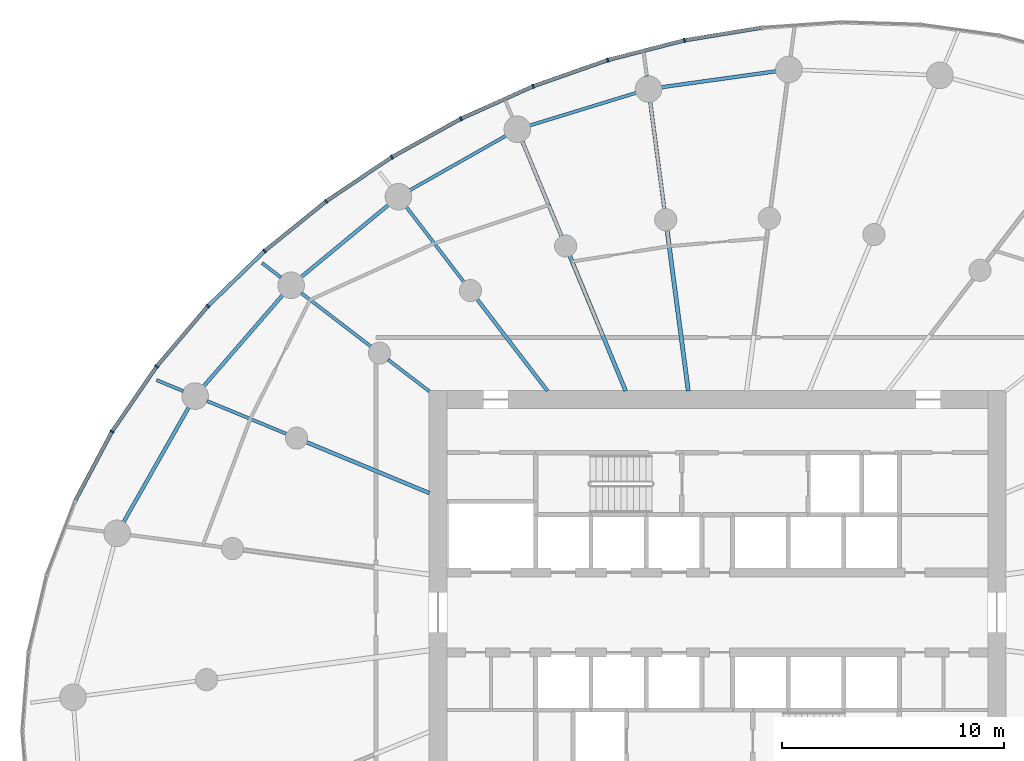
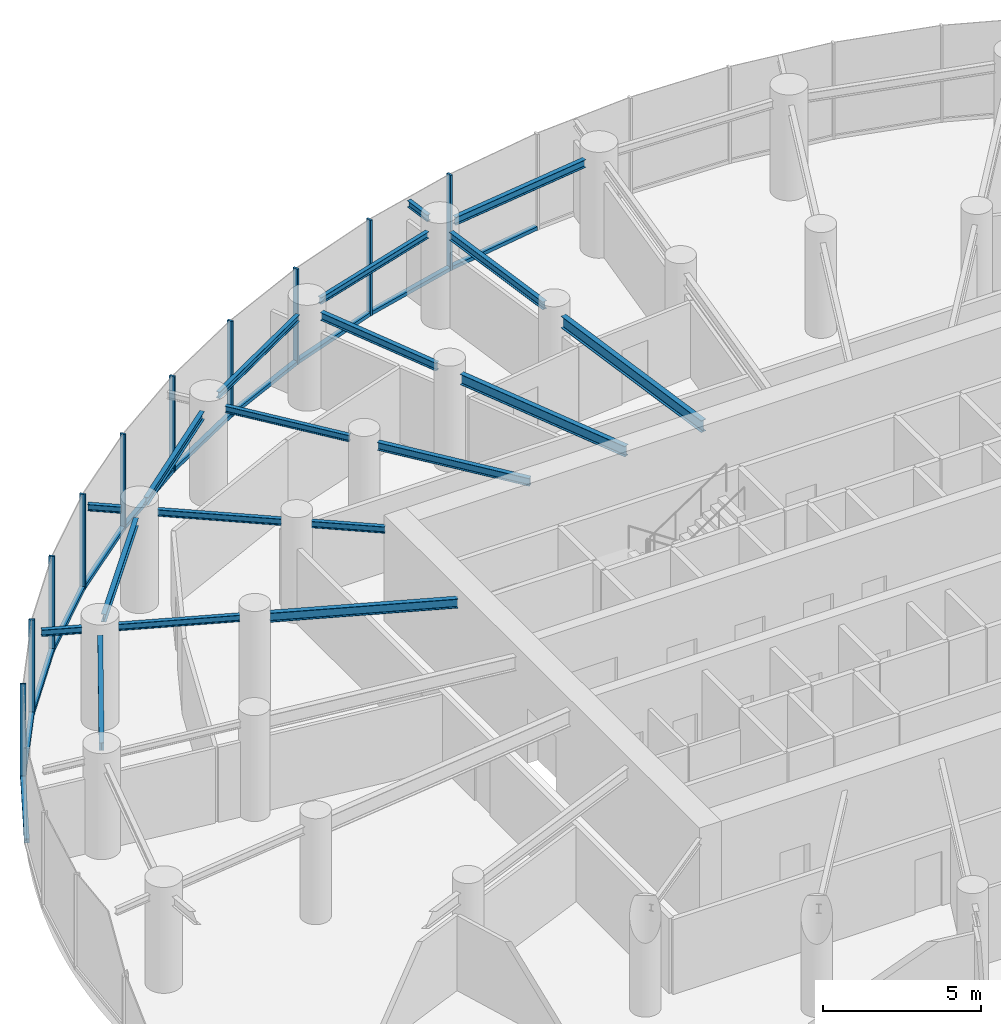
# One storey, part 6 of 17: 21 members, 19 beams, 3 elements without a shape of their own.
"""IFC4 building model written with IfcOpenShell, lengths in metres."""

from ifc_helpers import new_model, si_unit, direction, frame, origin, origin_2d, place, context, subcontext, project, spatial, rectangle, i_section, extrude, source, transform, mapped, material, layer, layer_set, material_profile, profile_set, type_object, element, aggregate, save


model = new_model("IFC4")

# Units and contexts
model_context = context("Model", 3, precision=1e-05, world=origin(), true_north=direction((0.0, 1.0)))
body_context = subcontext(model_context, "Body", "Model", "MODEL_VIEW")
ifc_project = project(units=[si_unit("LENGTHUNIT", "METRE"), si_unit("AREAUNIT", "SQUARE_METRE"), si_unit("VOLUMEUNIT", "CUBIC_METRE"), si_unit("PLANEANGLEUNIT", "RADIAN"), si_unit("MASSUNIT", "GRAM", prefix="KILO")], contexts=[model_context])

# Site, building, storey
site_placement = place(None, origin())
site = spatial("IfcSite", under=ifc_project, at=site_placement, CompositionType="ELEMENT")
building_placement = place(site_placement, origin())
building = spatial("IfcBuilding", under=site, at=building_placement, Name="Spindrift Exchange Tower", CompositionType="ELEMENT")
storey_placement = place(building_placement, frame((0.0, 0.0, 96.199951171875)))
storey = spatial("IfcBuildingStorey", under=building, at=storey_placement, Name="L22", CompositionType="ELEMENT", Elevation=96.199951171875)

# Beams
ifc_material_1 = material(Name="Steel Grade 300", Category="steel")
ifc_material_profile_1 = material_profile(ifc_material_1, i_section(OverallWidth=0.18994140625, OverallDepth=0.45703125, WebThickness=0.009033203125, FlangeThickness=0.014404296875, FilletRadius=0.013916015625, at=origin_2d()), Name="460UB74.6")
ifc_profile_set_1 = profile_set([ifc_material_profile_1], Name="Steel Grade 300")
beam_type_1 = type_object("IfcBeamType", Name="Floor Beam 460UB74.6 Steel Grade 300", PredefinedType="BEAM", material=ifc_profile_set_1)
shared_shape_1 = source(origin(), body_context, "Body", "SweptSolid", [
    extrude(i_section(OverallWidth=0.18994140625, OverallDepth=0.45703125, WebThickness=0.009033203125, FlangeThickness=0.014404296875, FilletRadius=0.013916015625, at=origin_2d()), origin(), (0.0, 0.0, 1.0), 7.3095703125),
])
beam_1_placement = place(storey_placement, frame((50.68603515625, 57.980224609375, 3.471435546875), z_axis=(-0.130527087244, 0.991444743541, 0.0), x_axis=(-0.991444743541, -0.130527087244, 0.0)))
element("IfcBeam", 1, at=beam_1_placement, inside=storey, type_object=beam_type_1, Name="L22 radial beam R07A", PredefinedType="BEAM", context=body_context, shape_type="MappedRepresentation", body=[
    mapped(shared_shape_1, transform((0.0, 0.0, 0.0), scale=1.0)),
])
ifc_material_profile_2 = material_profile(ifc_material_1, i_section(OverallWidth=0.177978515625, OverallDepth=0.406005859375, WebThickness=0.0078125, FlangeThickness=0.0126953125, FilletRadius=0.013916015625, at=origin_2d()), Name="410UB59.7")
ifc_profile_set_2 = profile_set([ifc_material_profile_2], Name="Steel Grade 300")
beam_type_2 = type_object("IfcBeamType", Name="Floor Beam 410UB59.7 Steel Grade 300", PredefinedType="BEAM", material=ifc_profile_set_2)
shared_shape_2 = source(origin(), body_context, "Body", "SweptSolid", [
    extrude(i_section(OverallWidth=0.177978515625, OverallDepth=0.406005859375, WebThickness=0.0078125, FlangeThickness=0.0126953125, FilletRadius=0.013916015625, at=origin_2d()), origin(), (0.0, 0.0, 1.0), 6.594482421875),
])
beam_2_placement = place(storey_placement, frame((47.865478515625, 57.9814453125, 3.4970703125), z_axis=(-0.382692929746, 0.92387559851, 0.0), x_axis=(-0.92387559851, -0.382692929746, 0.0)))
element("IfcBeam", 2, at=beam_2_placement, inside=storey, type_object=beam_type_2, Name="L22 radial beam R08A", PredefinedType="BEAM", context=body_context, shape_type="MappedRepresentation", body=[
    mapped(shared_shape_2, transform((0.0, 0.0, 0.0), scale=1.0)),
])
ifc_material_profile_3 = material_profile(ifc_material_1, i_section(OverallWidth=0.1650390625, OverallDepth=0.303955078125, WebThickness=0.006103515625, FlangeThickness=0.01025390625, FilletRadius=0.011474609375, at=origin_2d()), Name="310UB40.4")
ifc_profile_set_3 = profile_set([ifc_material_profile_3], Name="Steel Grade 300")
beam_type_3 = type_object("IfcBeamType", Name="Floor Beam 310UB40.4 Steel Grade 300", PredefinedType="BEAM", material=ifc_profile_set_3)
shared_shape_3 = source(origin(), body_context, "Body", "SweptSolid", [
    extrude(i_section(OverallWidth=0.1650390625, OverallDepth=0.303955078125, WebThickness=0.006103515625, FlangeThickness=0.01025390625, FilletRadius=0.011474609375, at=origin_2d()), origin(), (0.0, 0.0, 1.0), 5.224609375),
])
beam_3_placement = place(storey_placement, frame((44.3388671875, 57.984130859375, 3.548095703125), z_axis=(-0.608741499316, 0.793368632485, 0.0), x_axis=(-0.793368632485, -0.608741499316, 0.0)))
element("IfcBeam", 3, at=beam_3_placement, inside=storey, type_object=beam_type_3, Name="L22 radial beam R09A", PredefinedType="BEAM", context=body_context, shape_type="MappedRepresentation", body=[
    mapped(shared_shape_3, transform((0.0, 0.0, 0.0), scale=1.0)),
])
ifc_material_profile_4 = material_profile(ifc_material_1, i_section(OverallWidth=0.14599609375, OverallDepth=0.251953125, WebThickness=0.006103515625, FlangeThickness=0.008544921875, FilletRadius=0.011962890625, at=origin_2d()), Name="250UB31.4")
ifc_profile_set_4 = profile_set([ifc_material_profile_4], Name="Steel Grade 300")
beam_type_4 = type_object("IfcBeamType", Name="Floor Beam 250UB31.4 Steel Grade 300", PredefinedType="BEAM", material=ifc_profile_set_4)
shared_shape_4 = source(origin(), body_context, "Body", "SweptSolid", [
    extrude(i_section(OverallWidth=0.14599609375, OverallDepth=0.251953125, WebThickness=0.006103515625, FlangeThickness=0.008544921875, FilletRadius=0.011962890625, at=origin_2d()), origin(), (0.0, 0.0, 1.0), 2.353759765625),
])
beam_4_placement = place(storey_placement, frame((39.015869140625, 57.963134765625, 3.573974609375), z_axis=(-0.793367573265, 0.608742879787, 0.0), x_axis=(-0.608742879787, -0.793367573265, 0.0)))
element("IfcBeam", 4, at=beam_4_placement, inside=storey, type_object=beam_type_4, Name="L22 radial beam R10A", PredefinedType="BEAM", context=body_context, shape_type="MappedRepresentation", body=[
    mapped(shared_shape_4, transform((0.0, 0.0, 0.0), scale=1.0)),
])
ifc_material_profile_5 = material_profile(ifc_material_1, i_section(OverallWidth=0.172119140625, OverallDepth=0.35888671875, WebThickness=0.008056640625, FlangeThickness=0.012939453125, FilletRadius=0.013916015625, at=origin_2d()), Name="360UB56.7")
ifc_profile_set_5 = profile_set([ifc_material_profile_5], Name="Steel Grade 300")
beam_type_5 = type_object("IfcBeamType", Name="Floor Beam 360UB56.7 Steel Grade 300", PredefinedType="BEAM", material=ifc_profile_set_5)
shared_shape_5 = source(origin(), body_context, "Body", "SweptSolid", [
    extrude(i_section(OverallWidth=0.172119140625, OverallDepth=0.35888671875, WebThickness=0.008056640625, FlangeThickness=0.012939453125, FilletRadius=0.013916015625, at=origin_2d()), origin(), (0.0, 0.0, 1.0), 6.004638671875),
])
beam_5_placement = place(storey_placement, frame((39.0185546875, 53.377197265625, 3.5205078125), z_axis=(-0.923882044911, 0.38267736684, 0.0), x_axis=(-0.38267736684, -0.923882044911, 0.0)))
element("IfcBeam", 5, at=beam_5_placement, inside=storey, type_object=beam_type_5, Name="L22 radial beam R11A", PredefinedType="BEAM", context=body_context, shape_type="MappedRepresentation", body=[
    mapped(shared_shape_5, transform((0.0, 0.0, 0.0), scale=1.0)),
])
shared_shape_6 = source(origin(), body_context, "Body", "SweptSolid", [
    extrude(i_section(OverallWidth=0.1650390625, OverallDepth=0.303955078125, WebThickness=0.006103515625, FlangeThickness=0.01025390625, FilletRadius=0.011474609375, at=origin_2d()), origin(), (0.0, 0.0, 1.0), 4.883056640625),
])
beam_6_placement = place(storey_placement, frame((49.606689453125, 66.17919921875, 3.548095703125), z_axis=(-0.130542457964, 0.991442719812, 0.0), x_axis=(-0.991442719812, -0.130542457964, 0.0)))
element("IfcBeam", 6, at=beam_6_placement, inside=storey, type_object=beam_type_3, Name="L22 radial beam R07B", PredefinedType="BEAM", context=body_context, shape_type="MappedRepresentation", body=[
    mapped(shared_shape_6, transform((0.0, 0.0, 0.0), scale=1.0)),
])
shared_shape_7 = source(origin(), body_context, "Body", "SweptSolid", [
    extrude(i_section(OverallWidth=0.1650390625, OverallDepth=0.303955078125, WebThickness=0.006103515625, FlangeThickness=0.01025390625, FilletRadius=0.011474609375, at=origin_2d()), origin(), (0.0, 0.0, 1.0), 4.63671875),
])
beam_7_placement = place(storey_placement, frame((44.974609375, 64.9609375, 3.548095703125), z_axis=(-0.382692818086, 0.923875644763, 0.0), x_axis=(-0.923875644763, -0.382692818086, 0.0)))
element("IfcBeam", 7, at=beam_7_placement, inside=storey, type_object=beam_type_3, Name="L22 radial beam R08B", PredefinedType="BEAM", context=body_context, shape_type="MappedRepresentation", body=[
    mapped(shared_shape_7, transform((0.0, 0.0, 0.0), scale=1.0)),
])
shared_shape_8 = source(origin(), body_context, "Body", "SweptSolid", [
    extrude(i_section(OverallWidth=0.14599609375, OverallDepth=0.251953125, WebThickness=0.006103515625, FlangeThickness=0.008544921875, FilletRadius=0.011962890625, at=origin_2d()), origin(), (0.0, 0.0, 1.0), 4.27587890625),
])
beam_8_placement = place(storey_placement, frame((40.573974609375, 62.890625, 3.573974609375), z_axis=(-0.608725184746, 0.793381150177, 0.0), x_axis=(-0.793381150177, -0.608725184746, 0.0)))
element("IfcBeam", 8, at=beam_8_placement, inside=storey, type_object=beam_type_4, Name="L22 radial beam R09B", PredefinedType="BEAM", context=body_context, shape_type="MappedRepresentation", body=[
    mapped(shared_shape_8, transform((0.0, 0.0, 0.0), scale=1.0)),
])
shared_shape_9 = source(origin(), body_context, "Body", "SweptSolid", [
    extrude(i_section(OverallWidth=0.14599609375, OverallDepth=0.251953125, WebThickness=0.006103515625, FlangeThickness=0.008544921875, FilletRadius=0.011962890625, at=origin_2d()), origin(), (0.0, 0.0, 1.0), 3.966064453125),
])
beam_9_placement = place(storey_placement, frame((36.38671875, 59.98046875, 3.573974609375), z_axis=(-0.79336256318, 0.608749409318, 0.0), x_axis=(-0.608749409318, -0.79336256318, 0.0)))
element("IfcBeam", 9, at=beam_9_placement, inside=storey, type_object=beam_type_4, Name="L22 radial beam R10B", PredefinedType="BEAM", context=body_context, shape_type="MappedRepresentation", body=[
    mapped(shared_shape_9, transform((0.0, 0.0, 0.0), scale=1.0)),
])
shared_shape_10 = source(origin(), body_context, "Body", "SweptSolid", [
    extrude(i_section(OverallWidth=0.14599609375, OverallDepth=0.251953125, WebThickness=0.006103515625, FlangeThickness=0.008544921875, FilletRadius=0.011962890625, at=origin_2d()), origin(), (0.0, 0.0, 1.0), 3.892333984375),
])
beam_10_placement = place(storey_placement, frame((32.583984375, 56.04248046875, 3.573974609375), z_axis=(-0.923878458273, 0.382686025794, 0.0), x_axis=(-0.382686025794, -0.923878458273, 0.0)))
element("IfcBeam", 10, at=beam_10_placement, inside=storey, type_object=beam_type_4, Name="L22 radial beam R11B", PredefinedType="BEAM", context=body_context, shape_type="MappedRepresentation", body=[
    mapped(shared_shape_10, transform((0.0, 0.0, 0.0), scale=1.0)),
])
ifc_material_profile_6 = material_profile(ifc_material_1, i_section(OverallWidth=0.1650390625, OverallDepth=0.303955078125, WebThickness=0.006103515625, FlangeThickness=0.01025390625, FilletRadius=0.011474609375, at=origin_2d()), Name="310UB40.4")
ifc_profile_set_6 = profile_set([ifc_material_profile_6], Name="Steel Grade 300")
beam_type_6 = type_object("IfcBeamType", Name="Edge Beam 310UB40.4 Steel Grade 300", PredefinedType="SPANDREL", material=ifc_profile_set_6)
shared_shape_11 = source(origin(), body_context, "Body", "SweptSolid", [
    extrude(i_section(OverallWidth=0.1650390625, OverallDepth=0.303955078125, WebThickness=0.006103515625, FlangeThickness=0.01025390625, FilletRadius=0.011474609375, at=origin_2d()), origin(), (0.0, 0.0, 1.0), 5.22998046875),
])
beam_11_placement = place(storey_placement, frame((54.64794921875, 72.396728515625, 3.548095703125), z_axis=(-0.990440078597, -0.137943650481, 0.0), x_axis=(0.137943650481, -0.990440078597, 0.0)))
element("IfcBeam", 11, at=beam_11_placement, inside=storey, type_object=beam_type_6, Name="L22 edge beam E06", PredefinedType="SPANDREL", context=body_context, shape_type="MappedRepresentation", body=[
    mapped(shared_shape_11, transform((0.0, 0.0, 0.0), scale=1.0)),
])
ifc_material_profile_7 = material_profile(ifc_material_1, i_section(OverallWidth=0.14599609375, OverallDepth=0.251953125, WebThickness=0.006103515625, FlangeThickness=0.008544921875, FilletRadius=0.011962890625, at=origin_2d()), Name="250UB31.4")
ifc_profile_set_7 = profile_set([ifc_material_profile_7], Name="Steel Grade 300")
beam_type_7 = type_object("IfcBeamType", Name="Edge Beam 250UB31.4 Steel Grade 300", PredefinedType="SPANDREL", material=ifc_profile_set_7)
shared_shape_12 = source(origin(), body_context, "Body", "SweptSolid", [
    extrude(i_section(OverallWidth=0.14599609375, OverallDepth=0.251953125, WebThickness=0.006103515625, FlangeThickness=0.008544921875, FilletRadius=0.011962890625, at=origin_2d()), origin(), (0.0, 0.0, 1.0), 5.027587890625),
])
beam_12_placement = place(storey_placement, frame((48.339111328125, 71.42529296875, 3.573974609375), z_axis=(-0.956018084082, -0.293307727325, 0.0), x_axis=(0.293307727325, -0.956018084082, 0.0)))
element("IfcBeam", 12, at=beam_12_placement, inside=storey, type_object=beam_type_7, Name="L22 edge beam E07", PredefinedType="SPANDREL", context=body_context, shape_type="MappedRepresentation", body=[
    mapped(shared_shape_12, transform((0.0, 0.0, 0.0), scale=1.0)),
])
shared_shape_13 = source(origin(), body_context, "Body", "SweptSolid", [
    extrude(i_section(OverallWidth=0.14599609375, OverallDepth=0.251953125, WebThickness=0.006103515625, FlangeThickness=0.008544921875, FilletRadius=0.011962890625, at=origin_2d()), origin(), (0.0, 0.0, 1.0), 5.0009765625),
])
beam_13_placement = place(storey_placement, frame((42.4736328125, 69.494384765625, 3.573974609375), z_axis=(-0.870045916697, -0.492970691663, 0.0), x_axis=(0.492970691663, -0.870045916697, 0.0)))
element("IfcBeam", 13, at=beam_13_placement, inside=storey, type_object=beam_type_7, Name="L22 edge beam E08", PredefinedType="SPANDREL", context=body_context, shape_type="MappedRepresentation", body=[
    mapped(shared_shape_13, transform((0.0, 0.0, 0.0), scale=1.0)),
])
shared_shape_14 = source(origin(), body_context, "Body", "SweptSolid", [
    extrude(i_section(OverallWidth=0.1650390625, OverallDepth=0.303955078125, WebThickness=0.006103515625, FlangeThickness=0.01025390625, FilletRadius=0.011474609375, at=origin_2d()), origin(), (0.0, 0.0, 1.0), 5.114501953125),
])
beam_14_placement = place(storey_placement, frame((37.1708984375, 66.373779296875, 3.548095703125), z_axis=(-0.771073837992, -0.63674573918, 0.0), x_axis=(0.63674573918, -0.771073837992, 0.0)))
element("IfcBeam", 14, at=beam_14_placement, inside=storey, type_object=beam_type_6, Name="L22 edge beam E09", PredefinedType="SPANDREL", context=body_context, shape_type="MappedRepresentation", body=[
    mapped(shared_shape_14, transform((0.0, 0.0, 0.0), scale=1.0)),
])
shared_shape_15 = source(origin(), body_context, "Body", "SweptSolid", [
    extrude(i_section(OverallWidth=0.1650390625, OverallDepth=0.303955078125, WebThickness=0.006103515625, FlangeThickness=0.01025390625, FilletRadius=0.011474609375, at=origin_2d()), origin(), (0.0, 0.0, 1.0), 5.448486328125),
])
beam_15_placement = place(storey_placement, frame((32.400390625, 62.3095703125, 3.548095703125), z_axis=(-0.654922008827, -0.755696475018, 0.0), x_axis=(0.755696475018, -0.654922008827, 0.0)))
element("IfcBeam", 15, at=beam_15_placement, inside=storey, type_object=beam_type_6, Name="L22 edge beam E10", PredefinedType="SPANDREL", context=body_context, shape_type="MappedRepresentation", body=[
    mapped(shared_shape_15, transform((0.0, 0.0, 0.0), scale=1.0)),
])
shared_shape_16 = source(origin(), body_context, "Body", "SweptSolid", [
    extrude(i_section(OverallWidth=0.1650390625, OverallDepth=0.303955078125, WebThickness=0.006103515625, FlangeThickness=0.01025390625, FilletRadius=0.011474609375, at=origin_2d()), origin(), (0.0, 0.0, 1.0), 5.9599609375),
])
beam_16_placement = place(storey_placement, frame((28.165771484375, 57.24951171875, 3.548095703125), z_axis=(-0.493940434745, -0.869495742901, 0.0), x_axis=(0.869495742901, -0.493940434745, 0.0)))
element("IfcBeam", 16, at=beam_16_placement, inside=storey, type_object=beam_type_6, Name="L22 edge beam E11", PredefinedType="SPANDREL", context=body_context, shape_type="MappedRepresentation", body=[
    mapped(shared_shape_16, transform((0.0, 0.0, 0.0), scale=1.0)),
])
ifc_material_profile_8 = material_profile(ifc_material_1, i_section(OverallWidth=0.14599609375, OverallDepth=0.251953125, WebThickness=0.006103515625, FlangeThickness=0.008544921875, FilletRadius=0.011962890625, at=origin_2d()), Name="250UB31.4")
ifc_profile_set_8 = profile_set([ifc_material_profile_8], Name="Steel Grade 300")
beam_type_8 = type_object("IfcBeamType", Name="Cantilever Beam 250UB31.4 Steel Grade 300", PredefinedType="BEAM", material=ifc_profile_set_8)
shared_shape_17 = source(origin(), body_context, "Body", "SweptSolid", [
    extrude(i_section(OverallWidth=0.14599609375, OverallDepth=0.251953125, WebThickness=0.006103515625, FlangeThickness=0.008544921875, FilletRadius=0.011962890625, at=origin_2d()), origin(), (0.0, 0.0, 1.0), 1.036865234375),
])
beam_17_placement = place(storey_placement, frame((48.81787109375, 72.17041015625, 3.573974609375), z_axis=(-0.13043624116, 0.991456699504, 0.0), x_axis=(-0.991456699504, -0.13043624116, 0.0)))
element("IfcBeam", 17, at=beam_17_placement, inside=storey, type_object=beam_type_8, Name="L22 cantilever beam R07T", PredefinedType="BEAM", context=body_context, shape_type="MappedRepresentation", body=[
    mapped(shared_shape_17, transform((0.0, 0.0, 0.0), scale=1.0)),
])
shared_shape_18 = source(origin(), body_context, "Body", "SweptSolid", [
    extrude(i_section(OverallWidth=0.14599609375, OverallDepth=0.251953125, WebThickness=0.006103515625, FlangeThickness=0.008544921875, FilletRadius=0.011962890625, at=origin_2d()), origin(), (0.0, 0.0, 1.0), 1.070556640625),
])
beam_18_placement = place(storey_placement, frame((32.320068359375, 63.10107421875, 3.573974609375), z_axis=(-0.793411777687, 0.608685264342, 0.0), x_axis=(-0.608685264342, -0.793411777687, 0.0)))
element("IfcBeam", 18, at=beam_18_placement, inside=storey, type_object=beam_type_8, Name="L22 cantilever beam R10T", PredefinedType="BEAM", context=body_context, shape_type="MappedRepresentation", body=[
    mapped(shared_shape_18, transform((0.0, 0.0, 0.0), scale=1.0)),
])
shared_shape_19 = source(origin(), body_context, "Body", "SweptSolid", [
    extrude(i_section(OverallWidth=0.14599609375, OverallDepth=0.251953125, WebThickness=0.006103515625, FlangeThickness=0.008544921875, FilletRadius=0.011962890625, at=origin_2d()), origin(), (0.0, 0.0, 1.0), 1.301025390625),
])
beam_19_placement = place(storey_placement, frame((27.91650390625, 57.975830078125, 3.573974609375), z_axis=(-0.923891035164, 0.382655661324, 0.0), x_axis=(-0.382655661324, -0.923891035164, 0.0)))
element("IfcBeam", 19, at=beam_19_placement, inside=storey, type_object=beam_type_8, Name="L22 cantilever beam R11T", PredefinedType="BEAM", context=body_context, shape_type="MappedRepresentation", body=[
    mapped(shared_shape_19, transform((0.0, 0.0, 0.0), scale=1.0)),
])

# Curtain wall, members
ifc_material_2 = material(Name="Fritted laminated glass with bronze frame", Category="glass")
ifc_layer = layer(ifc_material_2, 0.18994140625)
ifc_layer_set = layer_set([ifc_layer], Name="ZONE 2 BRONZE FRITTED WALL")
curtain_wall_type = type_object("IfcCurtainWallType", Name="ZONE 2 BRONZE FRITTED WALL", PredefinedType="NOTDEFINED", material=ifc_layer_set)
curtain_wall_1_placement = place(storey_placement, origin())
curtain_wall_1 = element("IfcCurtainWall", 20, at=curtain_wall_1_placement, inside=storey, type_object=curtain_wall_type, Name="L22 Zone 2 Bronze Fritted Wall run 2", PredefinedType="NOTDEFINED")
ifc_material_3 = material(Name="Bronze anodised aluminium", Category="aluminium")
ifc_material_profile_9 = material_profile(ifc_material_3, rectangle(XDim=0.074951171875, YDim=0.18994140625, at=origin_2d()), Name="ZONE 2 BRONZE FRITTED WALL MULLION 75X190")
ifc_profile_set_9 = profile_set([ifc_material_profile_9], Name="Bronze anodised aluminium")
member_type_1 = type_object("IfcMemberType", Name="ZONE 2 BRONZE FRITTED WALL MULLION 75X190", PredefinedType="MULLION", material=ifc_profile_set_9)
shared_shape_20 = source(origin(), body_context, "Body", "SweptSolid", [
    extrude(rectangle(XDim=0.074951171875, YDim=0.18994140625, at=origin_2d()), origin(), (0.0, 0.0, 1.0), 3.699951171875),
])
member_1_placement = place(storey_placement, frame((50.51171875, 73.7900390625, 0.0), z_axis=(0.0, 0.0, 1.0), x_axis=(-0.97865147865, -0.205526843347, 0.0)))
member_1 = element("IfcMember", 21, at=member_1_placement, type_object=member_type_1, Name="L22 mullion CW-2.11", PredefinedType="MULLION", context=body_context, shape_type="MappedRepresentation", body=[
    mapped(shared_shape_20, transform((0.0, 0.0, 0.0), scale=1.0)),
])
member_2_placement = place(storey_placement, frame((47.057373046875, 72.90234375, 0.0), z_axis=(0.0, 0.0, 1.0), x_axis=(-0.956900214988, -0.290416904735, 0.0)))
member_2 = element("IfcMember", 22, at=member_2_placement, type_object=member_type_1, Name="L22 mullion CW-2.12", PredefinedType="MULLION", context=body_context, shape_type="MappedRepresentation", body=[
    mapped(shared_shape_20, transform((0.0, 0.0, 0.0), scale=1.0)),
])

curtain_wall_2_placement = place(storey_placement, origin())
curtain_wall_2 = element("IfcCurtainWall", 23, at=curtain_wall_2_placement, inside=storey, type_object=curtain_wall_type, Name="L22 Zone 2 Bronze Fritted Wall run 3", PredefinedType="NOTDEFINED")
member_3_placement = place(storey_placement, frame((43.692138671875, 71.720458984375, 0.0), z_axis=(0.0, 0.0, 1.0), x_axis=(-0.928627831923, -0.371012600564, 0.0)))
member_3 = element("IfcMember", 24, at=member_3_placement, type_object=member_type_1, Name="L22 mullion CW-2.13", PredefinedType="MULLION", context=body_context, shape_type="MappedRepresentation", body=[
    mapped(shared_shape_20, transform((0.0, 0.0, 0.0), scale=1.0)),
])
member_4_placement = place(storey_placement, frame((40.43896484375, 70.258056640625, 0.0), z_axis=(0.0, 0.0, 1.0), x_axis=(-0.894005545238, -0.448055895045, 0.0)))
member_4 = element("IfcMember", 25, at=member_4_placement, type_object=member_type_1, Name="L22 mullion CW-2.14", PredefinedType="MULLION", context=body_context, shape_type="MappedRepresentation", body=[
    mapped(shared_shape_20, transform((0.0, 0.0, 0.0), scale=1.0)),
])
member_5_placement = place(storey_placement, frame((37.320556640625, 68.527099609375, 0.0), z_axis=(0.0, 0.0, 1.0), x_axis=(-0.852844485453, -0.52216499656, 0.0)))
member_5 = element("IfcMember", 26, at=member_5_placement, type_object=member_type_1, Name="L22 mullion CW-2.15", PredefinedType="MULLION", context=body_context, shape_type="MappedRepresentation", body=[
    mapped(shared_shape_20, transform((0.0, 0.0, 0.0), scale=1.0)),
])
member_6_placement = place(storey_placement, frame((34.36083984375, 66.53662109375, 0.0), z_axis=(0.0, 0.0, 1.0), x_axis=(-0.80460946548, -0.593804351668, 0.0)))
member_6 = element("IfcMember", 27, at=member_6_placement, type_object=member_type_1, Name="L22 mullion CW-2.16", PredefinedType="MULLION", context=body_context, shape_type="MappedRepresentation", body=[
    mapped(shared_shape_20, transform((0.0, 0.0, 0.0), scale=1.0)),
])
member_7_placement = place(storey_placement, frame((31.586669921875, 64.29541015625, 0.0), z_axis=(0.0, 0.0, 1.0), x_axis=(-0.748454954402, -0.66318563105, 0.0)))
member_7 = element("IfcMember", 28, at=member_7_placement, type_object=member_type_1, Name="L22 mullion CW-2.17", PredefinedType="MULLION", context=body_context, shape_type="MappedRepresentation", body=[
    mapped(shared_shape_20, transform((0.0, 0.0, 0.0), scale=1.0)),
])
member_8_placement = place(storey_placement, frame((29.027587890625, 61.81103515625, 0.0), z_axis=(0.0, 0.0, 1.0), x_axis=(-0.683153307113, -0.730274988604, 0.0)))
member_8 = element("IfcMember", 29, at=member_8_placement, type_object=member_type_1, Name="L22 mullion CW-2.18", PredefinedType="MULLION", context=body_context, shape_type="MappedRepresentation", body=[
    mapped(shared_shape_20, transform((0.0, 0.0, 0.0), scale=1.0)),
])

curtain_wall_3_placement = place(storey_placement, origin())
curtain_wall_3 = element("IfcCurtainWall", 30, at=curtain_wall_3_placement, inside=storey, type_object=curtain_wall_type, Name="L22 Zone 2 Bronze Fritted Wall run 4", PredefinedType="NOTDEFINED")
member_9_placement = place(storey_placement, frame((26.719482421875, 59.092529296875, 0.0), z_axis=(0.0, 0.0, 1.0), x_axis=(-0.607075983652, -0.794643788168, 0.0)))
member_9 = element("IfcMember", 31, at=member_9_placement, type_object=member_type_1, Name="L22 mullion CW-2.19", PredefinedType="MULLION", context=body_context, shape_type="MappedRepresentation", body=[
    mapped(shared_shape_20, transform((0.0, 0.0, 0.0), scale=1.0)),
])
member_10_placement = place(storey_placement, frame((24.70361328125, 56.15087890625, 0.0), z_axis=(0.0, 0.0, 1.0), x_axis=(-0.518292666041, -0.855203316369, 0.0)))
member_10 = element("IfcMember", 32, at=member_10_placement, type_object=member_type_1, Name="L22 mullion CW-2.20", PredefinedType="MULLION", context=body_context, shape_type="MappedRepresentation", body=[
    mapped(shared_shape_20, transform((0.0, 0.0, 0.0), scale=1.0)),
])

# Member
ifc_material_profile_10 = material_profile(ifc_material_3, rectangle(XDim=0.169921875, YDim=0.139892578125, at=origin_2d()), Name="ZONE 2 BRONZE FRITTED WALL TRANSOM 170X140")
ifc_profile_set_10 = profile_set([ifc_material_profile_10], Name="Bronze anodised aluminium")
member_type_2 = type_object("IfcMemberType", Name="ZONE 2 BRONZE FRITTED WALL TRANSOM 170X140", PredefinedType="USERDEFINED", material=ifc_profile_set_10)
shared_shape_21 = source(origin(), body_context, "Body", "SweptSolid", [
    extrude(rectangle(XDim=0.169921875, YDim=0.139892578125, at=origin_2d()), origin(), (0.0, 0.0, 1.0), 3.4912109375),
])
member_11_placement = place(storey_placement, frame((53.994140625, 74.36083984375, 0.070068359375), z_axis=(-0.98683260595, -0.161744885031, 0.0), x_axis=(0.161744885031, -0.98683260595, 0.0)))
member_11 = element("IfcMember", 33, at=member_11_placement, type_object=member_type_2, Name="L22 transom CW-2.10", ObjectType="TRANSOM", PredefinedType="USERDEFINED", context=body_context, shape_type="MappedRepresentation", body=[
    mapped(shared_shape_21, transform((0.0, 0.0, 0.0), scale=1.0)),
])

member_12_placement = place(storey_placement, frame((26.6982421875, 59.061767578125, 0.070068359375), z_axis=(-0.56525787859, -0.824914256569, 0.0), x_axis=(0.824914256569, -0.56525787859, 0.0)))
member_12 = element("IfcMember", 34, at=member_12_placement, type_object=member_type_2, Name="L22 transom CW-2.19", ObjectType="TRANSOM", PredefinedType="USERDEFINED", context=body_context, shape_type="MappedRepresentation", body=[
    mapped(shared_shape_21, transform((0.0, 0.0, 0.0), scale=1.0)),
])

shared_shape_22 = source(origin(), body_context, "Body", "SweptSolid", [
    extrude(rectangle(XDim=0.169921875, YDim=0.139892578125, at=origin_2d()), origin(), (0.0, 0.0, 1.0), 3.49169921875),
])
member_13_placement = place(storey_placement, frame((50.475341796875, 73.78076171875, 0.070068359375), z_axis=(-0.968525688969, -0.248913619169, 0.0), x_axis=(0.248913619169, -0.968525688969, 0.0)))
member_13 = element("IfcMember", 35, at=member_13_placement, type_object=member_type_2, Name="L22 transom CW-2.11", ObjectType="TRANSOM", PredefinedType="USERDEFINED", context=body_context, shape_type="MappedRepresentation", body=[
    mapped(shared_shape_22, transform((0.0, 0.0, 0.0), scale=1.0)),
])

member_14_placement = place(storey_placement, frame((47.02197265625, 72.889892578125, 0.070068359375), z_axis=(-0.943506819709, -0.331353106462, 0.0), x_axis=(0.331353106462, -0.943506819709, 0.0)))
member_14 = element("IfcMember", 36, at=member_14_placement, type_object=member_type_2, Name="L22 transom CW-2.12", ObjectType="TRANSOM", PredefinedType="USERDEFINED", context=body_context, shape_type="MappedRepresentation", body=[
    mapped(shared_shape_22, transform((0.0, 0.0, 0.0), scale=1.0)),
])

aggregate(curtain_wall_1, [member_11, member_1, member_13, member_2, member_14])

member_15_placement = place(storey_placement, frame((43.657958984375, 71.705078125, 0.070068359375), z_axis=(-0.912084963227, -0.410001243723, 0.0), x_axis=(0.410001243723, -0.912084963227, 0.0)))
member_15 = element("IfcMember", 37, at=member_15_placement, type_object=member_type_2, Name="L22 transom CW-2.13", ObjectType="TRANSOM", PredefinedType="USERDEFINED", context=body_context, shape_type="MappedRepresentation", body=[
    mapped(shared_shape_22, transform((0.0, 0.0, 0.0), scale=1.0)),
])

member_16_placement = place(storey_placement, frame((40.40625, 70.239990234375, 0.070068359375), z_axis=(-0.87434190562, -0.485310449173, 0.0), x_axis=(0.485310449173, -0.87434190562, 0.0)))
member_16 = element("IfcMember", 38, at=member_16_placement, type_object=member_type_2, Name="L22 transom CW-2.14", ObjectType="TRANSOM", PredefinedType="USERDEFINED", context=body_context, shape_type="MappedRepresentation", body=[
    mapped(shared_shape_22, transform((0.0, 0.0, 0.0), scale=1.0)),
])

member_17_placement = place(storey_placement, frame((37.28955078125, 68.506103515625, 0.070068359375), z_axis=(-0.829816890365, -0.558035777048, 0.0), x_axis=(0.558035777048, -0.829816890365, 0.0)))
member_17 = element("IfcMember", 39, at=member_17_placement, type_object=member_type_2, Name="L22 transom CW-2.15", ObjectType="TRANSOM", PredefinedType="USERDEFINED", context=body_context, shape_type="MappedRepresentation", body=[
    mapped(shared_shape_22, transform((0.0, 0.0, 0.0), scale=1.0)),
])

member_18_placement = place(storey_placement, frame((34.331787109375, 66.51318359375, 0.070068359375), z_axis=(-0.777858358796, -0.628439634055, 0.0), x_axis=(0.628439634055, -0.777858358796, 0.0)))
member_18 = element("IfcMember", 40, at=member_18_placement, type_object=member_type_2, Name="L22 transom CW-2.16", ObjectType="TRANSOM", PredefinedType="USERDEFINED", context=body_context, shape_type="MappedRepresentation", body=[
    mapped(shared_shape_22, transform((0.0, 0.0, 0.0), scale=1.0)),
])

shared_shape_23 = source(origin(), body_context, "Body", "SweptSolid", [
    extrude(rectangle(XDim=0.169921875, YDim=0.139892578125, at=origin_2d()), origin(), (0.0, 0.0, 1.0), 3.49072265625),
])
member_19_placement = place(storey_placement, frame((24.68603515625, 56.117919921875, 0.070068359375), z_axis=(-0.469647769911, -0.882853879313, 0.0), x_axis=(0.882853879313, -0.469647769911, 0.0)))
member_19 = element("IfcMember", 41, at=member_19_placement, type_object=member_type_2, Name="L22 transom CW-2.20", ObjectType="TRANSOM", PredefinedType="USERDEFINED", context=body_context, shape_type="MappedRepresentation", body=[
    mapped(shared_shape_23, transform((0.0, 0.0, 0.0), scale=1.0)),
])

aggregate(curtain_wall_3, [member_9, member_12, member_10, member_19])

shared_shape_24 = source(origin(), body_context, "Body", "SweptSolid", [
    extrude(rectangle(XDim=0.169921875, YDim=0.139892578125, at=origin_2d()), origin(), (0.0, 0.0, 1.0), 3.491455078125),
])
member_20_placement = place(storey_placement, frame((31.559814453125, 64.269287109375, 0.070068359375), z_axis=(-0.717483041118, -0.696575972675, 0.0), x_axis=(0.696575972675, -0.717483041118, 0.0)))
member_20 = element("IfcMember", 42, at=member_20_placement, type_object=member_type_2, Name="L22 transom CW-2.17", ObjectType="TRANSOM", PredefinedType="USERDEFINED", context=body_context, shape_type="MappedRepresentation", body=[
    mapped(shared_shape_24, transform((0.0, 0.0, 0.0), scale=1.0)),
])

member_21_placement = place(storey_placement, frame((29.00341796875, 61.782470703125, 0.070068359375), z_axis=(-0.647248455515, -0.762279106911, 0.0), x_axis=(0.762279106911, -0.647248455515, 0.0)))
member_21 = element("IfcMember", 43, at=member_21_placement, type_object=member_type_2, Name="L22 transom CW-2.18", ObjectType="TRANSOM", PredefinedType="USERDEFINED", context=body_context, shape_type="MappedRepresentation", body=[
    mapped(shared_shape_24, transform((0.0, 0.0, 0.0), scale=1.0)),
])

aggregate(curtain_wall_2, [member_3, member_15, member_4, member_16, member_5, member_17, member_6, member_18, member_7, member_20, member_8, member_21])

save(model, "model.ifc")
